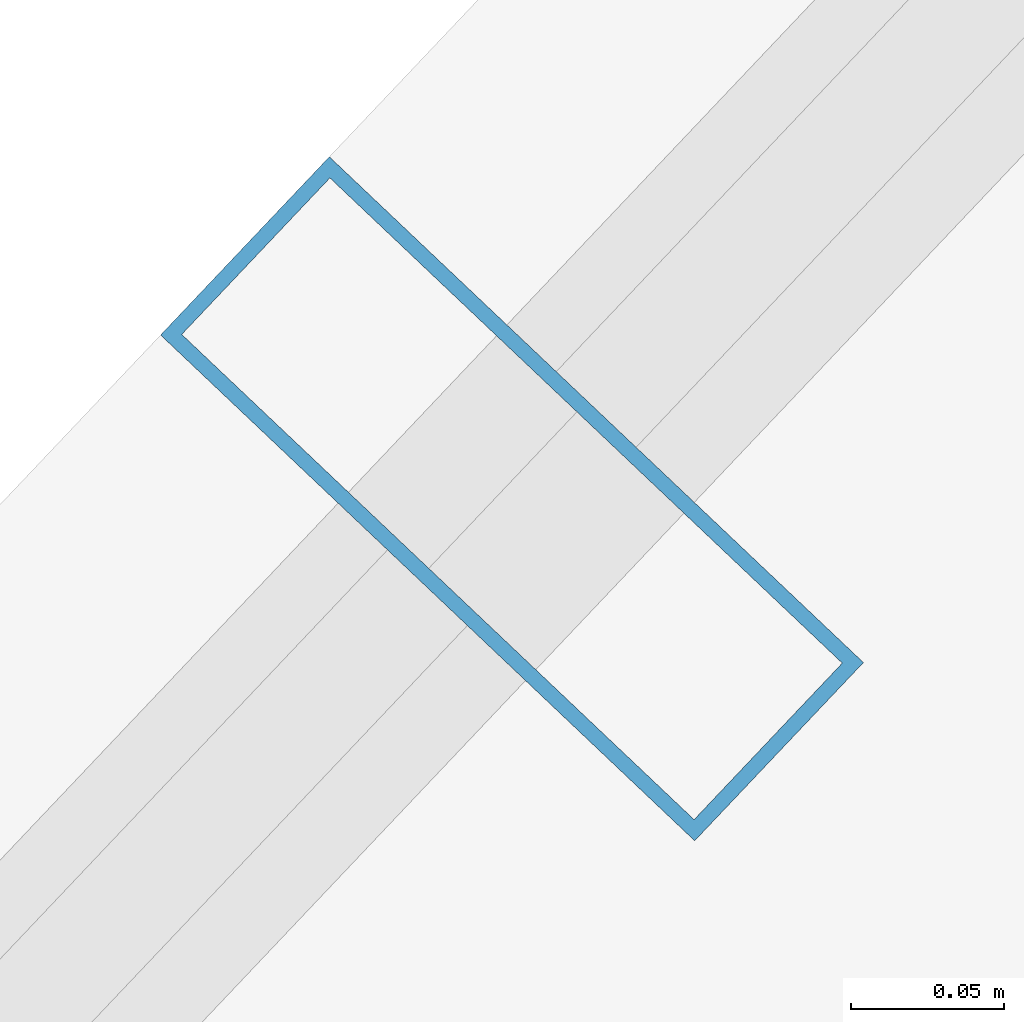
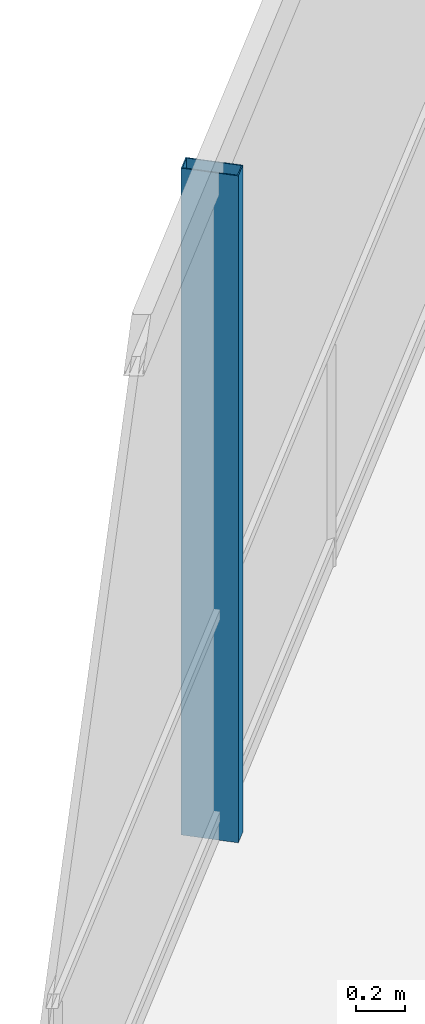
# One storey, part 8 of 18: 1 member, 1 element without a shape of its own.
"""IFC4 building model written with IfcOpenShell, lengths in metres."""

from ifc_helpers import new_model, si_unit, direction, frame, origin, origin_2d, place, context, subcontext, project, spatial, hollow_rectangle, extrude, material, layer, layer_set, material_profile, profile_set, type_object, element, aggregate, save


model = new_model("IFC4")

# Units and contexts
model_context = context("Model", 3, precision=1e-05, world=origin(), true_north=direction((0.0, 1.0)))
body_context = subcontext(model_context, "Body", "Model", "MODEL_VIEW")
ifc_project = project(units=[si_unit("LENGTHUNIT", "METRE"), si_unit("AREAUNIT", "SQUARE_METRE"), si_unit("VOLUMEUNIT", "CUBIC_METRE"), si_unit("PLANEANGLEUNIT", "RADIAN"), si_unit("MASSUNIT", "GRAM", prefix="KILO")], contexts=[model_context])

# Site, building, storey
site_placement = place(None, origin())
site = spatial("IfcSite", under=ifc_project, at=site_placement, CompositionType="ELEMENT")
building_placement = place(site_placement, origin())
building = spatial("IfcBuilding", under=site, at=building_placement, Name="Qarnah Convention Tower", CompositionType="ELEMENT")
storey_placement = place(building_placement, frame((0.0, 0.0, 242.699951171875)))
storey = spatial("IfcBuildingStorey", under=building, at=storey_placement, Name="L65", CompositionType="ELEMENT", Elevation=242.699951171875)

# Curtain wall, member
ifc_material_1 = material(Name="Tempered Low-E dark glass", Category="glass")
ifc_layer = layer(ifc_material_1, 0.176025390625)
ifc_layer_set = layer_set([ifc_layer], Name="Tempered Low-E dark glass")
curtain_wall_type = type_object("IfcCurtainWallType", Name="CWS-05", PredefinedType="NOTDEFINED", material=ifc_layer_set)
curtain_wall_placement = place(storey_placement, origin())
curtain_wall = element("IfcCurtainWall", 1, at=curtain_wall_placement, inside=storey, type_object=curtain_wall_type, Name="L65 unitised curtain wall CW-L65-F1", PredefinedType="NOTDEFINED")
ifc_material_2 = material(Name="Black anodised aluminium", Category="aluminium")
ifc_material_profile = material_profile(ifc_material_2, hollow_rectangle(XDim=0.080078125, YDim=0.239990234375, WallThickness=0.0048828125, at=origin_2d()), Name="MUL-80X240")
ifc_profile_set = profile_set([ifc_material_profile], Name="Black anodised aluminium")
member_type = type_object("IfcMemberType", Name="MUL-T5", PredefinedType="MULLION", material=ifc_profile_set)
member_placement = place(storey_placement, frame((28.060302734375, 38.953125, 0.0), z_axis=(0.0, 0.0, 1.0), x_axis=(0.687589797822, 0.726099352658, 0.0)))
member = element("IfcMember", 2, at=member_placement, type_object=member_type, Name="CW-L65-F1 mullion 4", PredefinedType="MULLION", context=body_context, shape_type="SweptSolid", body=[
    extrude(hollow_rectangle(XDim=0.080078125, YDim=0.239990234375, WallThickness=0.0048828125, at=origin_2d()), origin(), (0.0, 0.0, 1.0), 3.320068359375),
])
aggregate(curtain_wall, [member])

save(model, "model.ifc")
